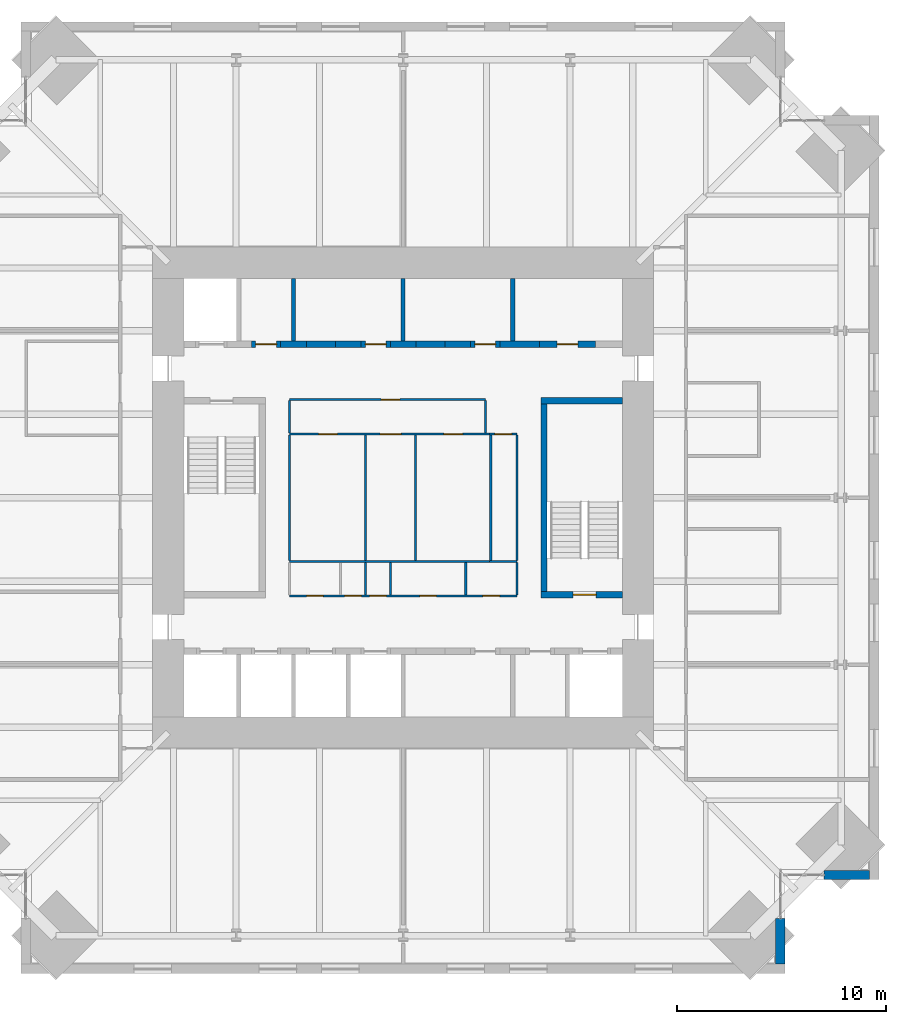
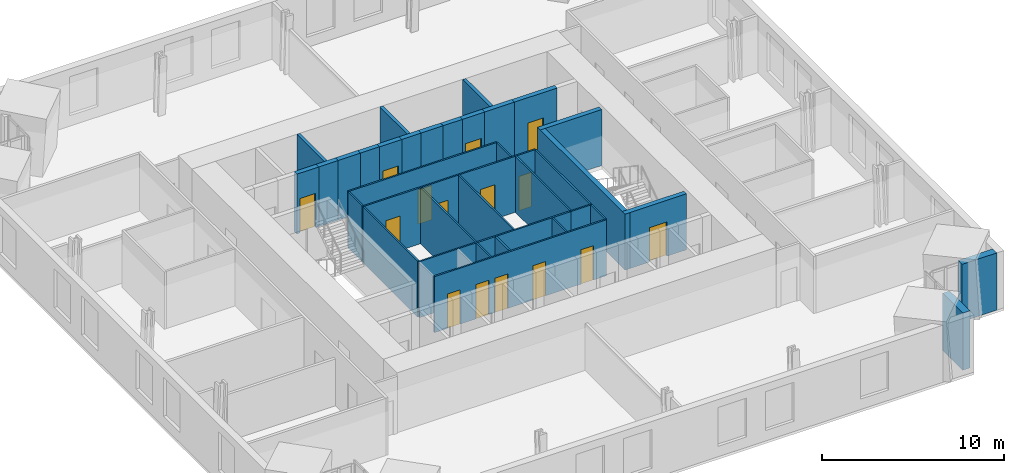
# One storey, part 12 of 15: 36 walls, 15 doors, 15 openings.
"""IFC4 building model written with IfcOpenShell, lengths in metres."""

from ifc_helpers import new_model, si_unit, direction, frame, frame_2d, origin, place, context, subcontext, project, spatial, rectangle, extrude, material, layer, layer_set, type_object, element, fill, save


model = new_model("IFC4")

# Units and contexts
model_context = context("Model", 3, precision=1e-05, world=origin(), true_north=direction((0.0, 1.0)))
body_context = subcontext(model_context, "Body", "Model", "MODEL_VIEW")
ifc_project = project(units=[si_unit("LENGTHUNIT", "METRE"), si_unit("AREAUNIT", "SQUARE_METRE"), si_unit("VOLUMEUNIT", "CUBIC_METRE"), si_unit("PLANEANGLEUNIT", "RADIAN"), si_unit("MASSUNIT", "GRAM", prefix="KILO")], contexts=[model_context])

# Site, building, storey
site_placement = place(None, origin())
site = spatial("IfcSite", under=ifc_project, at=site_placement, CompositionType="ELEMENT")
building_placement = place(site_placement, origin())
building = spatial("IfcBuilding", under=site, at=building_placement, Name="Peilmerk Tower", CompositionType="ELEMENT")
storey_placement = place(building_placement, frame((0.0, 0.0, 245.800048828125)))
storey = spatial("IfcBuildingStorey", under=building, at=storey_placement, Name="L54", CompositionType="ELEMENT", Elevation=245.800048828125)

# Walls
ifc_material_1 = material(Name="Precast concrete C45/55, board-marked finish", Category="concrete")
ifc_layer_1 = layer(ifc_material_1, 0.449951171875)
ifc_layer_set_1 = layer_set([ifc_layer_1], Name="Precast concrete C45/55, board-marked finish")
wall_type_1 = type_object("IfcWallType", Name="EW1 450 precast concrete facade wall, board-marked", PredefinedType="SOLIDWALL", material=ifc_layer_set_1)
for number, where, z_axis, x_axis, name in (
    (1, (18.074951171875, -20.153564453125, 0.0), (0.0, 0.0, 1.0), (0.0, -1.0, 0.0), "Facade wall SEA L54"),
    (2, (20.153564453125, -18.074951171875, 0.0), (0.0, 0.0, 1.0), (1.0, 0.0, 0.0), "Facade wall SEB L54"),
):
    element("IfcWall", number, at=place(storey_placement, frame(where, z_axis=z_axis, x_axis=x_axis)), inside=storey, type_object=wall_type_1, Name=name, PredefinedType="SOLIDWALL", context=body_context, shape_type="SweptSolid", body=[
        extrude(rectangle(XDim=2.196533203125, YDim=0.449951171875, at=frame_2d((1.09814453125, 0.0))), origin(), (0.0, 0.0, 1.0), 3.829833984375),
    ])
ifc_material_2 = material(Name="Concrete C35/45", Category="concrete")
ifc_layer_2 = layer(ifc_material_2, 0.300048828125)
ifc_layer_set_2 = layer_set([ifc_layer_2], Name="Concrete C35/45")
wall_type_2 = type_object("IfcWallType", Name="IW3 300 concrete stair enclosure wall, EI 120", PredefinedType="SOLIDWALL", material=ifc_layer_set_2)
wall_1_placement = place(storey_placement, frame((6.75, -4.800048828125, 0.0), z_axis=(0.0, 0.0, 1.0), x_axis=(0.0, 1.0, 0.0)))
element("IfcWall", 3, at=wall_1_placement, inside=storey, type_object=wall_type_2, Name="Stair 2 enclosure L54", PredefinedType="SOLIDWALL", context=body_context, shape_type="SweptSolid", body=[
    extrude(rectangle(XDim=9.60009765625, YDim=0.300048828125, at=frame_2d((4.800048828125, 0.0))), origin(), (0.0, 0.0, 1.0), 3.75),
])
wall_2_placement = place(storey_placement, frame((6.60009765625, 4.64990234375, 0.0), z_axis=(0.0, 0.0, 1.0), x_axis=(1.0, 0.0, 0.0)))
element("IfcWall", 4, at=wall_2_placement, inside=storey, type_object=wall_type_2, Name="Stair 2 enclosure L54", PredefinedType="SOLIDWALL", context=body_context, shape_type="SweptSolid", body=[
    extrude(rectangle(XDim=3.89990234375, YDim=0.300048828125, at=frame_2d((1.949951171875, 0.0))), origin(), (0.0, 0.0, 1.0), 3.75),
])

# Wall, opening, door
wall_3_placement = place(storey_placement, frame((10.5, -4.64990234375, 0.0), z_axis=(0.0, 0.0, 1.0), x_axis=(-1.0, 0.0, 0.0)))
wall_3 = element("IfcWall", 5, at=wall_3_placement, inside=storey, type_object=wall_type_2, Name="Stair 2 enclosure L54", PredefinedType="SOLIDWALL", context=body_context, shape_type="SweptSolid", body=[
    extrude(rectangle(XDim=3.89990234375, YDim=0.300048828125, at=frame_2d((1.949951171875, 0.0))), origin(), (0.0, 0.0, 1.0), 3.75),
])
opening_1_placement = place(wall_3_placement, frame((1.25, 0.0, 0.0)))
opening_1 = element("IfcOpeningElement", 6, at=opening_1_placement, cuts=wall_3, Name="Opening D4", PredefinedType="OPENING", context=body_context, shape_type="SweptSolid", body=[
    extrude(rectangle(XDim=1.10009765625, YDim=2.300048828125, at=frame_2d((0.550048828125, 1.14990234375))), frame((0.0, 0.159912109375, 0.0), z_axis=(0.0, -1.0, 0.0), x_axis=(1.0, 0.0, 0.0)), (0.0, 0.0, 1.0), 0.320068359375),
])
ifc_material_3 = material(Name="Steel door in steel frame", Category="steel")
door_type_1 = type_object("IfcDoorType", Name="D4 1100x2300 stair door, EI2 60", OperationType="SINGLE_SWING_RIGHT", PredefinedType="DOOR", material=ifc_material_3)
door_1_placement = place(opening_1_placement, frame((1.10009765625, 0.0, 0.0), z_axis=(0.0, 0.0, 1.0), x_axis=(-1.0, 0.0, 0.0)))
door_1 = element("IfcDoor", 7, at=door_1_placement, inside=storey, type_object=door_type_1, Name="Stair 2 door L54", OperationType="SINGLE_SWING_RIGHT", OverallHeight=2.300048828125, OverallWidth=1.10009765625, PredefinedType="DOOR", context=body_context, shape_type="SweptSolid", body=[
    extrude(rectangle(XDim=1.10009765625, YDim=2.300048828125, at=frame_2d((0.550048828125, 1.14990234375))), frame((0.0, 0.02490234375, 0.0), z_axis=(0.0, -1.0, 0.0), x_axis=(1.0, 0.0, 0.0)), (0.0, 0.0, 1.0), 0.050048828125),
])
fill(opening_1, door_1)

# Wall, openings, doors
ifc_material_4 = material(Name="Plasterboard on steel studs", Category="steel")
ifc_layer_3 = layer(ifc_material_4, 0.10009765625)
ifc_layer_set_3 = layer_set([ifc_layer_3], Name="Plasterboard on steel studs")
wall_type_3 = type_object("IfcWallType", Name="IW4 100 WC partition", PredefinedType="PARTITIONING", material=ifc_layer_set_3)
wall_4_placement = place(storey_placement, frame((-5.449951171875, 3.050048828125, 0.0), z_axis=(0.0, 0.0, 1.0), x_axis=(1.0, 0.0, 0.0)))
wall_4 = element("IfcWall", 8, at=wall_4_placement, inside=storey, type_object=wall_type_3, Name="WC wall L54", PredefinedType="PARTITIONING", context=body_context, shape_type="SweptSolid", body=[
    extrude(rectangle(XDim=9.599853515625, YDim=0.10009765625, at=frame_2d((4.7998046875, 0.0))), origin(), (0.0, 0.0, 1.0), 3.75),
])
opening_2_placement = place(wall_4_placement, frame((1.39990234375, 0.0, 0.0)))
opening_2 = element("IfcOpeningElement", 9, at=opening_2_placement, cuts=wall_4, Name="Opening D5", PredefinedType="OPENING", context=body_context, shape_type="SweptSolid", body=[
    extrude(rectangle(XDim=0.89990234375, YDim=2.300048828125, at=frame_2d((0.449951171875, 1.14990234375))), frame((0.0, 0.06005859375, 0.0), z_axis=(0.0, -1.0, 0.0), x_axis=(1.0, 0.0, 0.0)), (0.0, 0.0, 1.0), 0.1201171875),
])
opening_3_placement = place(wall_4_placement, frame((4.35009765625, 0.0, 0.0)))
opening_3 = element("IfcOpeningElement", 10, at=opening_3_placement, cuts=wall_4, Name="Opening D6", PredefinedType="OPENING", context=body_context, shape_type="SweptSolid", body=[
    extrude(rectangle(XDim=1.0, YDim=2.300048828125, at=frame_2d((0.5, 1.14990234375))), frame((0.0, 0.06005859375, 0.0), z_axis=(0.0, -1.0, 0.0), x_axis=(1.0, 0.0, 0.0)), (0.0, 0.0, 1.0), 0.1201171875),
])
opening_4_placement = place(wall_4_placement, frame((7.39990234375, 0.0, 0.0)))
opening_4 = element("IfcOpeningElement", 11, at=opening_4_placement, cuts=wall_4, Name="Opening D5", PredefinedType="OPENING", context=body_context, shape_type="SweptSolid", body=[
    extrude(rectangle(XDim=0.89990234375, YDim=2.300048828125, at=frame_2d((0.449951171875, 1.14990234375))), frame((0.0, 0.06005859375, 0.0), z_axis=(0.0, -1.0, 0.0), x_axis=(1.0, 0.0, 0.0)), (0.0, 0.0, 1.0), 0.1201171875),
])
ifc_material_5 = material(Name="Timber door in steel frame", Category="steel")
door_type_2 = type_object("IfcDoorType", Name="D5 900x2300 WC door", OperationType="SINGLE_SWING_LEFT", PredefinedType="DOOR", material=ifc_material_5)
door_2_placement = place(opening_2_placement, frame((0.89990234375, 0.0, 0.0), z_axis=(0.0, 0.0, 1.0), x_axis=(-1.0, 0.0, 0.0)))
door_2 = element("IfcDoor", 12, at=door_2_placement, inside=storey, type_object=door_type_2, Name="Female toilets door L54", OperationType="SINGLE_SWING_LEFT", OverallHeight=2.300048828125, OverallWidth=0.89990234375, PredefinedType="DOOR", context=body_context, shape_type="SweptSolid", body=[
    extrude(rectangle(XDim=0.89990234375, YDim=2.300048828125, at=frame_2d((0.449951171875, 1.14990234375))), frame((0.0, 0.02490234375, 0.0), z_axis=(0.0, -1.0, 0.0), x_axis=(1.0, 0.0, 0.0)), (0.0, 0.0, 1.0), 0.050048828125),
])
fill(opening_2, door_2)
door_3_placement = place(opening_4_placement, frame((0.89990234375, 0.0, 0.0), z_axis=(0.0, 0.0, 1.0), x_axis=(-1.0, 0.0, 0.0)))
door_3 = element("IfcDoor", 13, at=door_3_placement, inside=storey, type_object=door_type_2, Name="Male toilets door L54", OperationType="SINGLE_SWING_LEFT", OverallHeight=2.300048828125, OverallWidth=0.89990234375, PredefinedType="DOOR", context=body_context, shape_type="SweptSolid", body=[
    extrude(rectangle(XDim=0.89990234375, YDim=2.300048828125, at=frame_2d((0.449951171875, 1.14990234375))), frame((0.0, 0.02490234375, 0.0), z_axis=(0.0, -1.0, 0.0), x_axis=(1.0, 0.0, 0.0)), (0.0, 0.0, 1.0), 0.050048828125),
])
fill(opening_4, door_3)
door_type_3 = type_object("IfcDoorType", Name="D6 1000x2300 accessible WC door", OperationType="SLIDING_TO_LEFT", PredefinedType="DOOR", material=ifc_material_5)
door_4_placement = place(opening_3_placement, frame((1.0, 0.0, 0.0), z_axis=(0.0, 0.0, 1.0), x_axis=(-1.0, 0.0, 0.0)))
door_4 = element("IfcDoor", 14, at=door_4_placement, inside=storey, type_object=door_type_3, Name="Accessible WC door L54", OperationType="SLIDING_TO_LEFT", OverallHeight=2.300048828125, OverallWidth=1.0, PredefinedType="DOOR", context=body_context, shape_type="SweptSolid", body=[
    extrude(rectangle(XDim=1.0, YDim=2.300048828125, at=frame_2d((0.5, 1.14990234375))), frame((0.0, 0.02490234375, 0.0), z_axis=(0.0, -1.0, 0.0), x_axis=(1.0, 0.0, 0.0)), (0.0, 0.0, 1.0), 0.050048828125),
])
fill(opening_3, door_4)

# Walls
wall_5_placement = place(storey_placement, frame((4.14990234375, -3.050048828125, 0.0), z_axis=(0.0, 0.0, 1.0), x_axis=(-1.0, 0.0, 0.0)))
element("IfcWall", 15, at=wall_5_placement, inside=storey, type_object=wall_type_3, Name="WC wall L54", PredefinedType="PARTITIONING", context=body_context, shape_type="SweptSolid", body=[
    extrude(rectangle(XDim=9.599853515625, YDim=0.10009765625, at=frame_2d((4.7998046875, 0.0))), origin(), (0.0, 0.0, 1.0), 3.75),
])
for number, where, z_axis, x_axis, name in (
    (16, (-5.449951171875, -3.0, 0.0), (0.0, 0.0, 1.0), (0.0, 1.0, 0.0), "WC wall L54"),
    (17, (-1.800048828125, -3.0, 0.0), (0.0, 0.0, 1.0), (0.0, 1.0, 0.0), "WC wall L54"),
    (18, (0.60009765625, -3.0, 0.0), (0.0, 0.0, 1.0), (0.0, 1.0, 0.0), "WC wall L54"),
):
    element("IfcWall", number, at=place(storey_placement, frame(where, z_axis=z_axis, x_axis=x_axis)), inside=storey, type_object=wall_type_3, Name=name, PredefinedType="PARTITIONING", context=body_context, shape_type="SweptSolid", body=[
        extrude(rectangle(XDim=6.0, YDim=0.10009765625, at=frame_2d((3.0, 0.0))), origin(), (0.0, 0.0, 1.0), 3.75),
    ])

# Wall, opening, door
ifc_material_6 = material(Name="Calcium silicate board on steel studs", Category="steel")
ifc_layer_4 = layer(ifc_material_6, 0.10009765625)
ifc_layer_set_4 = layer_set([ifc_layer_4], Name="Calcium silicate board on steel studs")
wall_type_4 = type_object("IfcWallType", Name="IW5 100 riser enclosure wall, EI 60", PredefinedType="PARTITIONING", material=ifc_layer_set_4)
wall_6_placement = place(storey_placement, frame((4.14990234375, 3.050048828125, 0.0), z_axis=(0.0, 0.0, 1.0), x_axis=(1.0, 0.0, 0.0)))
wall_6 = element("IfcWall", 19, at=wall_6_placement, inside=storey, type_object=wall_type_4, Name="Riser wall L54", PredefinedType="PARTITIONING", context=body_context, shape_type="SweptSolid", body=[
    extrude(rectangle(XDim=1.300048828125, YDim=0.10009765625, at=frame_2d((0.64990234375, 0.0))), origin(), (0.0, 0.0, 1.0), 3.75),
])
opening_5_placement = place(wall_6_placement, frame((0.25, 0.0, 0.0)))
opening_5 = element("IfcOpeningElement", 20, at=opening_5_placement, cuts=wall_6, Name="Opening D7", PredefinedType="OPENING", context=body_context, shape_type="SweptSolid", body=[
    extrude(rectangle(XDim=0.800048828125, YDim=2.300048828125, at=frame_2d((0.39990234375, 1.14990234375))), frame((0.0, 0.06005859375, 0.0), z_axis=(0.0, -1.0, 0.0), x_axis=(1.0, 0.0, 0.0)), (0.0, 0.0, 1.0), 0.1201171875),
])
door_type_4 = type_object("IfcDoorType", Name="D7 800x2300 riser access door, EI2 60", OperationType="SINGLE_SWING_RIGHT", PredefinedType="DOOR", material=ifc_material_3)
door_5_placement = place(opening_5_placement, frame((0.800048828125, 0.0, 0.0), z_axis=(0.0, 0.0, 1.0), x_axis=(-1.0, 0.0, 0.0)))
door_5 = element("IfcDoor", 21, at=door_5_placement, inside=storey, type_object=door_type_4, Name="Plumbing riser door L54", OperationType="SINGLE_SWING_RIGHT", OverallHeight=2.300048828125, OverallWidth=0.800048828125, PredefinedType="DOOR", context=body_context, shape_type="SweptSolid", body=[
    extrude(rectangle(XDim=0.800048828125, YDim=2.300048828125, at=frame_2d((0.39990234375, 1.14990234375))), frame((0.0, 0.02490234375, 0.0), z_axis=(0.0, -1.0, 0.0), x_axis=(1.0, 0.0, 0.0)), (0.0, 0.0, 1.0), 0.050048828125),
])
fill(opening_5, door_5)

# Walls
wall_7_placement = place(storey_placement, frame((5.449951171875, -3.050048828125, 0.0), z_axis=(0.0, 0.0, 1.0), x_axis=(-1.0, 0.0, 0.0)))
element("IfcWall", 22, at=wall_7_placement, inside=storey, type_object=wall_type_4, Name="Riser wall L54", PredefinedType="PARTITIONING", context=body_context, shape_type="SweptSolid", body=[
    extrude(rectangle(XDim=1.300048828125, YDim=0.10009765625, at=frame_2d((0.64990234375, 0.0))), origin(), (0.0, 0.0, 1.0), 3.75),
])
for number, where, z_axis, x_axis, name in (
    (23, (5.449951171875, 3.0, 0.0), (0.0, 0.0, 1.0), (0.0, -1.0, 0.0), "Riser wall L54"),
    (24, (4.199951171875, -3.0, 0.0), (0.0, 0.0, 1.0), (0.0, 1.0, 0.0), "Riser wall L54"),
):
    element("IfcWall", number, at=place(storey_placement, frame(where, z_axis=z_axis, x_axis=x_axis)), inside=storey, type_object=wall_type_4, Name=name, PredefinedType="PARTITIONING", context=body_context, shape_type="SweptSolid", body=[
        extrude(rectangle(XDim=6.0, YDim=0.10009765625, at=frame_2d((3.0, 0.0))), origin(), (0.0, 0.0, 1.0), 3.75),
    ])

# Wall, openings, doors
wall_8_placement = place(storey_placement, frame((5.449951171875, -4.699951171875, 0.0), z_axis=(0.0, 0.0, 1.0), x_axis=(-1.0, 0.0, 0.0)))
wall_8 = element("IfcWall", 25, at=wall_8_placement, inside=storey, type_object=wall_type_4, Name="Riser wall L54", PredefinedType="PARTITIONING", context=body_context, shape_type="SweptSolid", body=[
    extrude(rectangle(XDim=10.89990234375, YDim=0.10009765625, at=frame_2d((5.449951171875, 0.0))), origin(), (0.0, 0.0, 1.0), 3.75),
])
opening_6_placement = place(wall_8_placement, frame((9.27490234375, 0.0, 0.0)))
opening_6 = element("IfcOpeningElement", 26, at=opening_6_placement, cuts=wall_8, Name="Opening D7", PredefinedType="OPENING", context=body_context, shape_type="SweptSolid", body=[
    extrude(rectangle(XDim=0.800048828125, YDim=2.300048828125, at=frame_2d((0.39990234375, 1.14990234375))), frame((0.0, 0.06005859375, 0.0), z_axis=(0.0, -1.0, 0.0), x_axis=(1.0, 0.0, 0.0)), (0.0, 0.0, 1.0), 0.1201171875),
])
opening_7_placement = place(wall_8_placement, frame((7.449951171875, 0.0, 0.0)))
opening_7 = element("IfcOpeningElement", 27, at=opening_7_placement, cuts=wall_8, Name="Opening D7", PredefinedType="OPENING", context=body_context, shape_type="SweptSolid", body=[
    extrude(rectangle(XDim=0.800048828125, YDim=2.300048828125, at=frame_2d((0.39990234375, 1.14990234375))), frame((0.0, 0.06005859375, 0.0), z_axis=(0.0, -1.0, 0.0), x_axis=(1.0, 0.0, 0.0)), (0.0, 0.0, 1.0), 0.1201171875),
])
opening_8_placement = place(wall_8_placement, frame((6.25, 0.0, 0.0)))
opening_8 = element("IfcOpeningElement", 28, at=opening_8_placement, cuts=wall_8, Name="Opening D7", PredefinedType="OPENING", context=body_context, shape_type="SweptSolid", body=[
    extrude(rectangle(XDim=0.800048828125, YDim=2.300048828125, at=frame_2d((0.39990234375, 1.14990234375))), frame((0.0, 0.06005859375, 0.0), z_axis=(0.0, -1.0, 0.0), x_axis=(1.0, 0.0, 0.0)), (0.0, 0.0, 1.0), 0.1201171875),
])
opening_9_placement = place(wall_8_placement, frame((3.85009765625, 0.0, 0.0)))
opening_9 = element("IfcOpeningElement", 29, at=opening_9_placement, cuts=wall_8, Name="Opening D7", PredefinedType="OPENING", context=body_context, shape_type="SweptSolid", body=[
    extrude(rectangle(XDim=0.800048828125, YDim=2.300048828125, at=frame_2d((0.39990234375, 1.14990234375))), frame((0.0, 0.06005859375, 0.0), z_axis=(0.0, -1.0, 0.0), x_axis=(1.0, 0.0, 0.0)), (0.0, 0.0, 1.0), 0.1201171875),
])
opening_10_placement = place(wall_8_placement, frame((0.824951171875, 0.0, 0.0)))
opening_10 = element("IfcOpeningElement", 30, at=opening_10_placement, cuts=wall_8, Name="Opening D7", PredefinedType="OPENING", context=body_context, shape_type="SweptSolid", body=[
    extrude(rectangle(XDim=0.800048828125, YDim=2.300048828125, at=frame_2d((0.39990234375, 1.14990234375))), frame((0.0, 0.06005859375, 0.0), z_axis=(0.0, -1.0, 0.0), x_axis=(1.0, 0.0, 0.0)), (0.0, 0.0, 1.0), 0.1201171875),
])
door_6_placement = place(opening_6_placement, frame((0.800048828125, 0.0, 0.0), z_axis=(0.0, 0.0, 1.0), x_axis=(-1.0, 0.0, 0.0)))
door_6 = element("IfcDoor", 31, at=door_6_placement, inside=storey, type_object=door_type_4, Name="Cleaner's cupboard door L54", OperationType="SINGLE_SWING_RIGHT", OverallHeight=2.300048828125, OverallWidth=0.800048828125, PredefinedType="DOOR", context=body_context, shape_type="SweptSolid", body=[
    extrude(rectangle(XDim=0.800048828125, YDim=2.300048828125, at=frame_2d((0.39990234375, 1.14990234375))), frame((0.0, 0.02490234375, 0.0), z_axis=(0.0, -1.0, 0.0), x_axis=(1.0, 0.0, 0.0)), (0.0, 0.0, 1.0), 0.050048828125),
])
fill(opening_6, door_6)
door_7_placement = place(opening_7_placement, frame((0.800048828125, 0.0, 0.0), z_axis=(0.0, 0.0, 1.0), x_axis=(-1.0, 0.0, 0.0)))
door_7 = element("IfcDoor", 32, at=door_7_placement, inside=storey, type_object=door_type_4, Name="Electrical riser door L54", OperationType="SINGLE_SWING_RIGHT", OverallHeight=2.300048828125, OverallWidth=0.800048828125, PredefinedType="DOOR", context=body_context, shape_type="SweptSolid", body=[
    extrude(rectangle(XDim=0.800048828125, YDim=2.300048828125, at=frame_2d((0.39990234375, 1.14990234375))), frame((0.0, 0.02490234375, 0.0), z_axis=(0.0, -1.0, 0.0), x_axis=(1.0, 0.0, 0.0)), (0.0, 0.0, 1.0), 0.050048828125),
])
fill(opening_7, door_7)
door_8_placement = place(opening_8_placement, frame((0.800048828125, 0.0, 0.0), z_axis=(0.0, 0.0, 1.0), x_axis=(-1.0, 0.0, 0.0)))
door_8 = element("IfcDoor", 33, at=door_8_placement, inside=storey, type_object=door_type_4, Name="Data riser door L54", OperationType="SINGLE_SWING_RIGHT", OverallHeight=2.300048828125, OverallWidth=0.800048828125, PredefinedType="DOOR", context=body_context, shape_type="SweptSolid", body=[
    extrude(rectangle(XDim=0.800048828125, YDim=2.300048828125, at=frame_2d((0.39990234375, 1.14990234375))), frame((0.0, 0.02490234375, 0.0), z_axis=(0.0, -1.0, 0.0), x_axis=(1.0, 0.0, 0.0)), (0.0, 0.0, 1.0), 0.050048828125),
])
fill(opening_8, door_8)
door_9_placement = place(opening_9_placement, frame((0.800048828125, 0.0, 0.0), z_axis=(0.0, 0.0, 1.0), x_axis=(-1.0, 0.0, 0.0)))
door_9 = element("IfcDoor", 34, at=door_9_placement, inside=storey, type_object=door_type_4, Name="Comms room door L54", OperationType="SINGLE_SWING_RIGHT", OverallHeight=2.300048828125, OverallWidth=0.800048828125, PredefinedType="DOOR", context=body_context, shape_type="SweptSolid", body=[
    extrude(rectangle(XDim=0.800048828125, YDim=2.300048828125, at=frame_2d((0.39990234375, 1.14990234375))), frame((0.0, 0.02490234375, 0.0), z_axis=(0.0, -1.0, 0.0), x_axis=(1.0, 0.0, 0.0)), (0.0, 0.0, 1.0), 0.050048828125),
])
fill(opening_9, door_9)
door_10_placement = place(opening_10_placement, frame((0.800048828125, 0.0, 0.0), z_axis=(0.0, 0.0, 1.0), x_axis=(-1.0, 0.0, 0.0)))
door_10 = element("IfcDoor", 35, at=door_10_placement, inside=storey, type_object=door_type_4, Name="Water meter room door L54", OperationType="SINGLE_SWING_RIGHT", OverallHeight=2.300048828125, OverallWidth=0.800048828125, PredefinedType="DOOR", context=body_context, shape_type="SweptSolid", body=[
    extrude(rectangle(XDim=0.800048828125, YDim=2.300048828125, at=frame_2d((0.39990234375, 1.14990234375))), frame((0.0, 0.02490234375, 0.0), z_axis=(0.0, -1.0, 0.0), x_axis=(1.0, 0.0, 0.0)), (0.0, 0.0, 1.0), 0.050048828125),
])
fill(opening_10, door_10)

# Walls
for number, where, z_axis, x_axis, name in (
    (36, (5.449951171875, -3.10009765625, 0.0), (0.0, 0.0, 1.0), (0.0, -1.0, 0.0), "Riser wall L54"),
    (37, (-1.800048828125, -3.10009765625, 0.0), (0.0, 0.0, 1.0), (0.0, -1.0, 0.0), "Riser wall L54"),
    (38, (-0.60009765625, -3.10009765625, 0.0), (0.0, 0.0, 1.0), (0.0, -1.0, 0.0), "Riser wall L54"),
    (39, (3.0, -3.10009765625, 0.0), (0.0, 0.0, 1.0), (0.0, -1.0, 0.0), "Riser wall L54"),
):
    element("IfcWall", number, at=place(storey_placement, frame(where, z_axis=z_axis, x_axis=x_axis)), inside=storey, type_object=wall_type_4, Name=name, PredefinedType="PARTITIONING", context=body_context, shape_type="SweptSolid", body=[
        extrude(rectangle(XDim=1.5498046875, YDim=0.10009765625, at=frame_2d((0.77490234375, 0.0))), origin(), (0.0, 0.0, 1.0), 3.75),
    ])

# Wall, opening, door
ifc_material_7 = material(Name="Fire-resisting plasterboard on steel studs", Category="steel")
ifc_layer_5 = layer(ifc_material_7, 0.10009765625)
ifc_layer_set_5 = layer_set([ifc_layer_5], Name="Fire-resisting plasterboard on steel studs")
wall_type_5 = type_object("IfcWallType", Name="IW9 100 WC lobby wall, EI 30", PredefinedType="PARTITIONING", material=ifc_layer_set_5)
wall_9_placement = place(storey_placement, frame((-5.449951171875, 4.699951171875, 0.0), z_axis=(0.0, 0.0, 1.0), x_axis=(1.0, 0.0, 0.0)))
wall_9 = element("IfcWall", 40, at=wall_9_placement, inside=storey, type_object=wall_type_5, Name="WC lobby wall L54", PredefinedType="PARTITIONING", context=body_context, shape_type="SweptSolid", body=[
    extrude(rectangle(XDim=9.39990234375, YDim=0.10009765625, at=frame_2d((4.699951171875, 0.0))), origin(), (0.0, 0.0, 1.0), 3.75),
])
opening_11_placement = place(wall_9_placement, frame((4.39990234375, 0.0, 0.0)))
opening_11 = element("IfcOpeningElement", 41, at=opening_11_placement, cuts=wall_9, Name="Opening D11", PredefinedType="OPENING", context=body_context, shape_type="SweptSolid", body=[
    extrude(rectangle(XDim=0.89990234375, YDim=2.300048828125, at=frame_2d((0.449951171875, 1.14990234375))), frame((0.0, 0.06005859375, 0.0), z_axis=(0.0, -1.0, 0.0), x_axis=(1.0, 0.0, 0.0)), (0.0, 0.0, 1.0), 0.1201171875),
])
door_type_5 = type_object("IfcDoorType", Name="D11 900x2300 WC lobby door, EI2 30", OperationType="SINGLE_SWING_LEFT", PredefinedType="DOOR", material=ifc_material_5)
door_11_placement = place(opening_11_placement, frame((0.89990234375, 0.0, 0.0), z_axis=(0.0, 0.0, 1.0), x_axis=(-1.0, 0.0, 0.0)))
door_11 = element("IfcDoor", 42, at=door_11_placement, inside=storey, type_object=door_type_5, Name="WC lobby door L54", OperationType="SINGLE_SWING_LEFT", OverallHeight=2.300048828125, OverallWidth=0.89990234375, PredefinedType="DOOR", context=body_context, shape_type="SweptSolid", body=[
    extrude(rectangle(XDim=0.89990234375, YDim=2.300048828125, at=frame_2d((0.449951171875, 1.14990234375))), frame((0.0, 0.02490234375, 0.0), z_axis=(0.0, -1.0, 0.0), x_axis=(1.0, 0.0, 0.0)), (0.0, 0.0, 1.0), 0.050048828125),
])
fill(opening_11, door_11)

# Walls
for number, where, z_axis, x_axis, name in (
    (43, (-5.449951171875, 3.10009765625, 0.0), (0.0, 0.0, 1.0), (0.0, 1.0, 0.0), "WC lobby wall L54"),
    (44, (3.949951171875, 3.10009765625, 0.0), (0.0, 0.0, 1.0), (0.0, 1.0, 0.0), "WC lobby wall L54"),
):
    element("IfcWall", number, at=place(storey_placement, frame(where, z_axis=z_axis, x_axis=x_axis)), inside=storey, type_object=wall_type_5, Name=name, PredefinedType="PARTITIONING", context=body_context, shape_type="SweptSolid", body=[
        extrude(rectangle(XDim=1.5498046875, YDim=0.10009765625, at=frame_2d((0.77490234375, 0.0))), origin(), (0.0, 0.0, 1.0), 3.75),
    ])
ifc_material_8 = material(Name="Calcium silicate block", Category="masonry")
ifc_layer_6 = layer(ifc_material_8, 0.199951171875)
ifc_layer_set_6 = layer_set([ifc_layer_6], Name="Calcium silicate block")
wall_type_6 = type_object("IfcWallType", Name="SH1 200 shaft dividing wall, EI 120", PredefinedType="PARTITIONING", material=ifc_layer_set_6)
for number, where, z_axis, x_axis, name in (
    (45, (-5.25, 7.5, 0.0), (0.0, 0.0, 1.0), (0.0, 1.0, 0.0), "Shaft wall N A1 L54"),
    (46, (0.0, 7.5, 0.0), (0.0, 0.0, 1.0), (0.0, 1.0, 0.0), "Shaft wall N A3 L54"),
    (47, (5.25, 7.5, 0.0), (0.0, 0.0, 1.0), (0.0, 1.0, 0.0), "Shaft wall N S2 L54"),
):
    element("IfcWall", number, at=place(storey_placement, frame(where, z_axis=z_axis, x_axis=x_axis)), inside=storey, type_object=wall_type_6, Name=name, PredefinedType="PARTITIONING", context=body_context, shape_type="SweptSolid", body=[
        extrude(rectangle(XDim=3.0, YDim=0.199951171875, at=frame_2d((1.5, 0.0))), origin(), (0.0, 0.0, 1.0), 4.0),
    ])

# Wall, opening, door
ifc_layer_7 = layer(ifc_material_8, 0.300048828125)
ifc_layer_set_7 = layer_set([ifc_layer_7], Name="Calcium silicate block")
wall_type_7 = type_object("IfcWallType", Name="SH2 300 lift landing door panel, EI 120", PredefinedType="PARTITIONING", material=ifc_layer_set_7)
wall_10_placement = place(storey_placement, frame((-7.262451171875, 7.35009765625, 0.0), z_axis=(0.0, 0.0, 1.0), x_axis=(1.0, 0.0, 0.0)))
wall_10 = element("IfcWall", 48, at=wall_10_placement, inside=storey, type_object=wall_type_7, Name="Lift door panel N A1 L54", PredefinedType="PARTITIONING", context=body_context, shape_type="SweptSolid", body=[
    extrude(rectangle(XDim=1.39990234375, YDim=0.300048828125, at=frame_2d((0.699951171875, 0.0))), origin(), (0.0, 0.0, 1.0), 4.0),
])
opening_12_placement = place(wall_10_placement, frame((0.199951171875, 0.0, 0.0)))
opening_12 = element("IfcOpeningElement", 49, at=opening_12_placement, cuts=wall_10, Name="Opening D10", PredefinedType="OPENING", context=body_context, shape_type="SweptSolid", body=[
    extrude(rectangle(XDim=1.0, YDim=2.300048828125, at=frame_2d((0.5, 1.14990234375))), frame((0.0, 0.159912109375, 0.0), z_axis=(0.0, -1.0, 0.0), x_axis=(1.0, 0.0, 0.0)), (0.0, 0.0, 1.0), 0.320068359375),
])
door_type_6 = type_object("IfcDoorType", Name="D10 1000x2300 core room door, EI2 60", OperationType="SINGLE_SWING_RIGHT", PredefinedType="DOOR", material=ifc_material_3)
door_12_placement = place(opening_12_placement, origin())
door_12 = element("IfcDoor", 50, at=door_12_placement, inside=storey, type_object=door_type_6, Name="Door Staff WC L54", OperationType="SINGLE_SWING_RIGHT", OverallHeight=2.300048828125, OverallWidth=1.0, PredefinedType="DOOR", context=body_context, shape_type="SweptSolid", body=[
    extrude(rectangle(XDim=1.0, YDim=2.300048828125, at=frame_2d((0.5, 1.14990234375))), frame((0.0, 0.02490234375, 0.0), z_axis=(0.0, -1.0, 0.0), x_axis=(1.0, 0.0, 0.0)), (0.0, 0.0, 1.0), 0.050048828125),
])
fill(opening_12, door_12)

# Wall
wall_11_placement = place(storey_placement, frame((-4.637451171875, 7.35009765625, 0.0), z_axis=(0.0, 0.0, 1.0), x_axis=(1.0, 0.0, 0.0)))
element("IfcWall", 51, at=wall_11_placement, inside=storey, type_object=wall_type_7, Name="Lift door panel N A2 L54", PredefinedType="PARTITIONING", context=body_context, shape_type="SweptSolid", body=[
    extrude(rectangle(XDim=1.39990234375, YDim=0.300048828125, at=frame_2d((0.699951171875, 0.0))), origin(), (0.0, 0.0, 1.0), 4.0),
])

# Wall, opening, door
wall_12_placement = place(storey_placement, frame((-2.012451171875, 7.35009765625, 0.0), z_axis=(0.0, 0.0, 1.0), x_axis=(1.0, 0.0, 0.0)))
wall_12 = element("IfcWall", 52, at=wall_12_placement, inside=storey, type_object=wall_type_7, Name="Lift door panel N A3 L54", PredefinedType="PARTITIONING", context=body_context, shape_type="SweptSolid", body=[
    extrude(rectangle(XDim=1.39990234375, YDim=0.300048828125, at=frame_2d((0.699951171875, 0.0))), origin(), (0.0, 0.0, 1.0), 4.0),
])
opening_13_placement = place(wall_12_placement, frame((0.199951171875, 0.0, 0.0)))
opening_13 = element("IfcOpeningElement", 53, at=opening_13_placement, cuts=wall_12, Name="Opening D10", PredefinedType="OPENING", context=body_context, shape_type="SweptSolid", body=[
    extrude(rectangle(XDim=1.0, YDim=2.300048828125, at=frame_2d((0.5, 1.14990234375))), frame((0.0, 0.159912109375, 0.0), z_axis=(0.0, -1.0, 0.0), x_axis=(1.0, 0.0, 0.0)), (0.0, 0.0, 1.0), 0.320068359375),
])
door_13_placement = place(opening_13_placement, origin())
door_13 = element("IfcDoor", 54, at=door_13_placement, inside=storey, type_object=door_type_6, Name="Door Mail room L54", OperationType="SINGLE_SWING_RIGHT", OverallHeight=2.300048828125, OverallWidth=1.0, PredefinedType="DOOR", context=body_context, shape_type="SweptSolid", body=[
    extrude(rectangle(XDim=1.0, YDim=2.300048828125, at=frame_2d((0.5, 1.14990234375))), frame((0.0, 0.02490234375, 0.0), z_axis=(0.0, -1.0, 0.0), x_axis=(1.0, 0.0, 0.0)), (0.0, 0.0, 1.0), 0.050048828125),
])
fill(opening_13, door_13)

# Wall
wall_13_placement = place(storey_placement, frame((0.612548828125, 7.35009765625, 0.0), z_axis=(0.0, 0.0, 1.0), x_axis=(1.0, 0.0, 0.0)))
element("IfcWall", 55, at=wall_13_placement, inside=storey, type_object=wall_type_7, Name="Lift door panel N S1 L54", PredefinedType="PARTITIONING", context=body_context, shape_type="SweptSolid", body=[
    extrude(rectangle(XDim=1.39990234375, YDim=0.300048828125, at=frame_2d((0.699951171875, 0.0))), origin(), (0.0, 0.0, 1.0), 4.0),
])

# Wall, opening, door
wall_14_placement = place(storey_placement, frame((3.237548828125, 7.35009765625, 0.0), z_axis=(0.0, 0.0, 1.0), x_axis=(1.0, 0.0, 0.0)))
wall_14 = element("IfcWall", 56, at=wall_14_placement, inside=storey, type_object=wall_type_7, Name="Lift door panel N S2 L54", PredefinedType="PARTITIONING", context=body_context, shape_type="SweptSolid", body=[
    extrude(rectangle(XDim=1.39990234375, YDim=0.300048828125, at=frame_2d((0.699951171875, 0.0))), origin(), (0.0, 0.0, 1.0), 4.0),
])
opening_14_placement = place(wall_14_placement, frame((0.199951171875, 0.0, 0.0)))
opening_14 = element("IfcOpeningElement", 57, at=opening_14_placement, cuts=wall_14, Name="Opening D10", PredefinedType="OPENING", context=body_context, shape_type="SweptSolid", body=[
    extrude(rectangle(XDim=1.0, YDim=2.300048828125, at=frame_2d((0.5, 1.14990234375))), frame((0.0, 0.159912109375, 0.0), z_axis=(0.0, -1.0, 0.0), x_axis=(1.0, 0.0, 0.0)), (0.0, 0.0, 1.0), 0.320068359375),
])
door_14_placement = place(opening_14_placement, origin())
door_14 = element("IfcDoor", 58, at=door_14_placement, inside=storey, type_object=door_type_6, Name="Door First aid room L54", OperationType="SINGLE_SWING_RIGHT", OverallHeight=2.300048828125, OverallWidth=1.0, PredefinedType="DOOR", context=body_context, shape_type="SweptSolid", body=[
    extrude(rectangle(XDim=1.0, YDim=2.300048828125, at=frame_2d((0.5, 1.14990234375))), frame((0.0, 0.02490234375, 0.0), z_axis=(0.0, -1.0, 0.0), x_axis=(1.0, 0.0, 0.0)), (0.0, 0.0, 1.0), 0.050048828125),
])
fill(opening_14, door_14)

wall_15_placement = place(storey_placement, frame((6.52490234375, 7.35009765625, 0.0), z_axis=(0.0, 0.0, 1.0), x_axis=(1.0, 0.0, 0.0)))
wall_15 = element("IfcWall", 59, at=wall_15_placement, inside=storey, type_object=wall_type_7, Name="Lift door panel N GL1 L54", PredefinedType="PARTITIONING", context=body_context, shape_type="SweptSolid", body=[
    extrude(rectangle(XDim=2.7001953125, YDim=0.300048828125, at=frame_2d((1.35009765625, 0.0))), origin(), (0.0, 0.0, 1.0), 4.0),
])
opening_15_placement = place(wall_15_placement, frame((0.85009765625, 0.0, 0.0)))
opening_15 = element("IfcOpeningElement", 60, at=opening_15_placement, cuts=wall_15, Name="Opening D10", PredefinedType="OPENING", context=body_context, shape_type="SweptSolid", body=[
    extrude(rectangle(XDim=1.0, YDim=2.300048828125, at=frame_2d((0.5, 1.14990234375))), frame((0.0, 0.159912109375, 0.0), z_axis=(0.0, -1.0, 0.0), x_axis=(1.0, 0.0, 0.0)), (0.0, 0.0, 1.0), 0.320068359375),
])
door_15_placement = place(opening_15_placement, origin())
door_15 = element("IfcDoor", 61, at=door_15_placement, inside=storey, type_object=door_type_6, Name="Door Electrical room L54", OperationType="SINGLE_SWING_RIGHT", OverallHeight=2.300048828125, OverallWidth=1.0, PredefinedType="DOOR", context=body_context, shape_type="SweptSolid", body=[
    extrude(rectangle(XDim=1.0, YDim=2.300048828125, at=frame_2d((0.5, 1.14990234375))), frame((0.0, 0.02490234375, 0.0), z_axis=(0.0, -1.0, 0.0), x_axis=(1.0, 0.0, 0.0)), (0.0, 0.0, 1.0), 0.050048828125),
])
fill(opening_15, door_15)

# Walls
ifc_material_9 = material(Name="Concrete C55/67", Category="concrete")
ifc_layer_8 = layer(ifc_material_9, 0.300048828125)
ifc_layer_set_8 = layer_set([ifc_layer_8], Name="Concrete C55/67")
wall_type_8 = type_object("IfcWallType", Name="SW2 300 lift bank pier", PredefinedType="SHEAR", material=ifc_layer_set_8)
for number, where, z_axis, x_axis, name in (
    (62, (-5.862548828125, 7.35009765625, 0.0), (0.0, 0.0, 1.0), (1.0, 0.0, 0.0), "Lift bank pier N L54"),
    (63, (-3.237548828125, 7.35009765625, 0.0), (0.0, 0.0, 1.0), (1.0, 0.0, 0.0), "Lift bank pier N L54"),
    (64, (-0.612548828125, 7.35009765625, 0.0), (0.0, 0.0, 1.0), (1.0, 0.0, 0.0), "Lift bank pier N L54"),
    (65, (2.012451171875, 7.35009765625, 0.0), (0.0, 0.0, 1.0), (1.0, 0.0, 0.0), "Lift bank pier N L54"),
):
    element("IfcWall", number, at=place(storey_placement, frame(where, z_axis=z_axis, x_axis=x_axis)), inside=storey, type_object=wall_type_8, Name=name, PredefinedType="SHEAR", context=body_context, shape_type="SweptSolid", body=[
        extrude(rectangle(XDim=1.22509765625, YDim=0.300048828125, at=frame_2d((0.612548828125, 0.0))), origin(), (0.0, 0.0, 1.0), 4.0),
    ])
wall_16_placement = place(storey_placement, frame((4.637451171875, 7.35009765625, 0.0), z_axis=(0.0, 0.0, 1.0), x_axis=(1.0, 0.0, 0.0)))
element("IfcWall", 66, at=wall_16_placement, inside=storey, type_object=wall_type_8, Name="Lift bank pier N L54", PredefinedType="SHEAR", context=body_context, shape_type="SweptSolid", body=[
    extrude(rectangle(XDim=1.887451171875, YDim=0.300048828125, at=frame_2d((0.94384765625, 0.0))), origin(), (0.0, 0.0, 1.0), 4.0),
])

save(model, "model.ifc")
